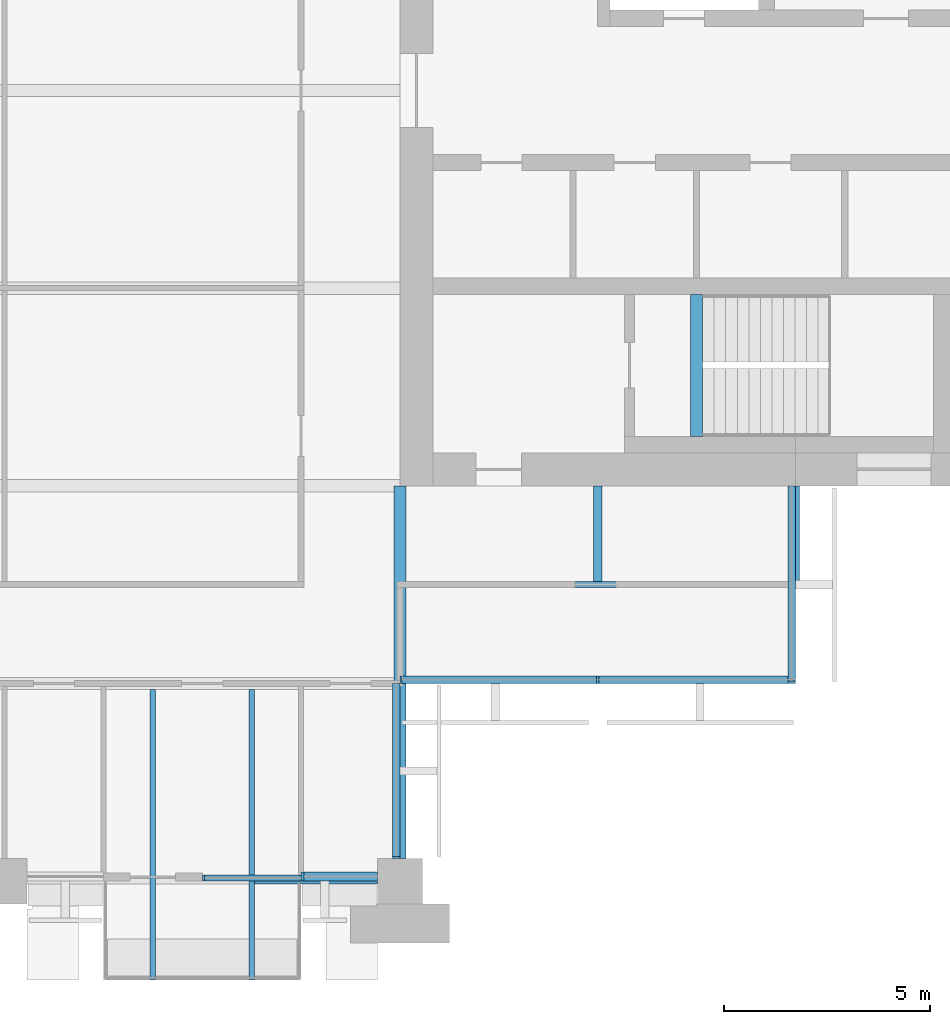
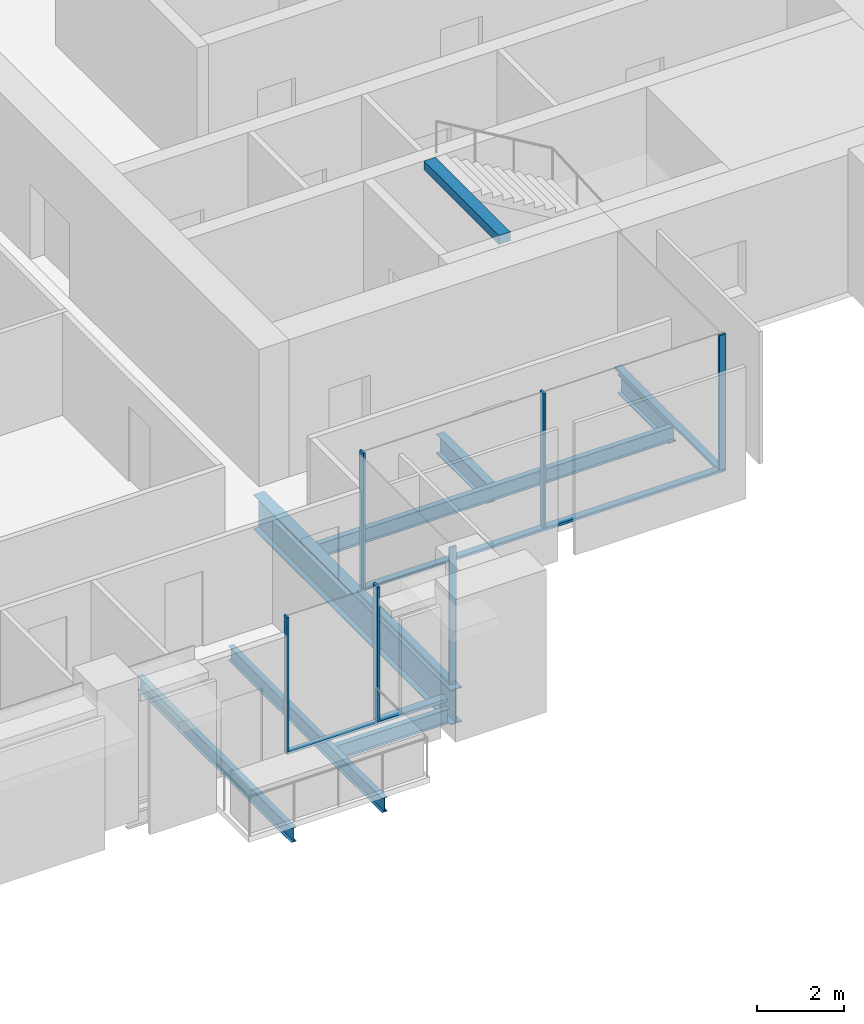
# One storey, part 4 of 14: 11 members, 8 beams, 5 elements without a shape of their own.
"""IFC4 building model written with IfcOpenShell, lengths in metres."""

from ifc_helpers import new_model, si_unit, direction, frame, origin, origin_2d, place, context, subcontext, project, spatial, rectangle, i_section, extrude, material, material_profile, profile_set, type_object, element, aggregate, save


model = new_model("IFC4")

# Units and contexts
model_context = context("Model", 3, precision=1e-05, world=origin(), true_north=direction((0.0, 1.0)))
body_context = subcontext(model_context, "Body", "Model", "MODEL_VIEW")
ifc_project = project(units=[si_unit("LENGTHUNIT", "METRE"), si_unit("AREAUNIT", "SQUARE_METRE"), si_unit("VOLUMEUNIT", "CUBIC_METRE"), si_unit("PLANEANGLEUNIT", "RADIAN"), si_unit("MASSUNIT", "GRAM", prefix="KILO")], contexts=[model_context])

# Site, building, storey
site_placement = place(None, origin())
site = spatial("IfcSite", under=ifc_project, at=site_placement, CompositionType="ELEMENT")
building_placement = place(site_placement, origin())
building = spatial("IfcBuilding", under=site, at=building_placement, Name="Baori Bourse Tower", CompositionType="ELEMENT")
storey_placement = place(building_placement, frame((0.0, 0.0, 221.199951171875)))
storey = spatial("IfcBuildingStorey", under=building, at=storey_placement, Name="L48", CompositionType="ELEMENT", Elevation=221.199951171875)

# Beams
ifc_material_1 = material(Name="Steel A992 Gr 50", Category="steel")
ifc_material_profile_1 = material_profile(ifc_material_1, i_section(OverallWidth=0.140380859375, OverallDepth=0.40380859375, WebThickness=0.007080078125, FlangeThickness=0.01123046875, at=origin_2d()), Name="W16x31")
ifc_profile_set_1 = profile_set([ifc_material_profile_1], Name="Steel A992 Gr 50")
beam_type_1 = type_object("IfcBeamType", Name="Balcony beam W16x31", PredefinedType="BEAM", material=ifc_profile_set_1)
for number, where, z_axis, x_axis, name in (
    (1, (32.39990234375, -2.39990234375, -0.36181640625), (0.0, 1.0, 0.0), (-1.0, 0.0, 0.0), "Balcony beam L48"),
    (2, (34.800048828125, -2.39990234375, -0.36181640625), (0.0, 1.0, 0.0), (-1.0, 0.0, 0.0), "Balcony beam L48"),
):
    element("IfcBeam", number, at=place(storey_placement, frame(where, z_axis=z_axis, x_axis=x_axis)), inside=storey, type_object=beam_type_1, Name=name, PredefinedType="BEAM", context=body_context, shape_type="SweptSolid", body=[
        extrude(i_section(OverallWidth=0.140380859375, OverallDepth=0.40380859375, WebThickness=0.007080078125, FlangeThickness=0.01123046875, at=origin_2d()), origin(), (0.0, 0.0, 1.0), 7.050048828125),
    ])

# Curtain wall, member
ifc_material_2 = material(Name="Pale anodised aluminium", Category="aluminium")
curtain_wall_type_1 = type_object("IfcCurtainWallType", Name="CW2 Curtain wall", PredefinedType="NOTDEFINED", material=ifc_material_2)
curtain_wall_1_placement = place(storey_placement, origin())
curtain_wall_1 = element("IfcCurtainWall", 3, at=curtain_wall_1_placement, inside=storey, type_object=curtain_wall_type_1, Name="Curtain wall CW2 L48 16", PredefinedType="NOTDEFINED")
ifc_material_3 = material(Name="Pale anodised aluminium", Category="aluminium")
ifc_material_profile_2 = material_profile(ifc_material_3, rectangle(XDim=0.179931640625, YDim=0.054931640625, at=origin_2d()), Name="Mullion 55x180")
ifc_profile_set_2 = profile_set([ifc_material_profile_2], Name="Pale anodised aluminium")
member_type_1 = type_object("IfcMemberType", Name="CW2 Curtain wall mullion", PredefinedType="MULLION", material=ifc_profile_set_2)
member_1_placement = place(storey_placement, frame((38.31005859375, 0.577392578125, 0.070068359375), z_axis=(0.0, 0.0, 1.0), x_axis=(-1.0, 0.0, 0.0)))
member_1 = element("IfcMember", 4, at=member_1_placement, type_object=member_type_1, Name="Curtain wall CW2 mullion", PredefinedType="MULLION", context=body_context, shape_type="SweptSolid", body=[
    extrude(rectangle(XDim=0.179931640625, YDim=0.054931640625, at=origin_2d()), origin(), (0.0, 0.0, 1.0), 3.77001953125),
])

# Curtain wall, members
curtain_wall_2_placement = place(storey_placement, origin())
curtain_wall_2 = element("IfcCurtainWall", 5, at=curtain_wall_2_placement, inside=storey, type_object=curtain_wall_type_1, Name="Curtain wall CW2 L48 17", PredefinedType="NOTDEFINED")
member_2_placement = place(storey_placement, frame((38.427490234375, 4.889892578125, 0.070068359375), z_axis=(0.0, 0.0, 1.0), x_axis=(0.0, 1.0, 0.0)))
member_2 = element("IfcMember", 6, at=member_2_placement, type_object=member_type_1, Name="Curtain wall CW2 mullion", PredefinedType="MULLION", context=body_context, shape_type="SweptSolid", body=[
    extrude(rectangle(XDim=0.179931640625, YDim=0.054931640625, at=origin_2d()), origin(), (0.0, 0.0, 1.0), 3.77001953125),
])
member_3_placement = place(storey_placement, frame((43.199951171875, 4.889892578125, 0.070068359375), z_axis=(0.0, 0.0, 1.0), x_axis=(0.0, 1.0, 0.0)))
member_3 = element("IfcMember", 7, at=member_3_placement, type_object=member_type_1, Name="Curtain wall CW2 mullion", PredefinedType="MULLION", context=body_context, shape_type="SweptSolid", body=[
    extrude(rectangle(XDim=0.179931640625, YDim=0.054931640625, at=origin_2d()), origin(), (0.0, 0.0, 1.0), 3.77001953125),
])

# Curtain wall, member
curtain_wall_3_placement = place(storey_placement, origin())
curtain_wall_3 = element("IfcCurtainWall", 8, at=curtain_wall_3_placement, inside=storey, type_object=curtain_wall_type_1, Name="Curtain wall CW2 L48 18", PredefinedType="NOTDEFINED")
member_4_placement = place(storey_placement, frame((47.909912109375, 4.827392578125, 0.070068359375), z_axis=(0.0, 0.0, 1.0), x_axis=(-1.0, 0.0, 0.0)))
member_4 = element("IfcMember", 9, at=member_4_placement, type_object=member_type_1, Name="Curtain wall CW2 mullion", PredefinedType="MULLION", context=body_context, shape_type="SweptSolid", body=[
    extrude(rectangle(XDim=0.179931640625, YDim=0.054931640625, at=origin_2d()), origin(), (0.0, 0.0, 1.0), 3.77001953125),
])

# Member
ifc_material_4 = material(Name="Pale anodised aluminium", Category="aluminium")
ifc_material_profile_3 = material_profile(ifc_material_4, rectangle(XDim=0.179931640625, YDim=0.070068359375, at=origin_2d()), Name="Transom 70x180")
ifc_profile_set_3 = profile_set([ifc_material_profile_3], Name="Pale anodised aluminium")
member_type_2 = type_object("IfcMemberType", Name="CW2 Curtain wall transom", PredefinedType="USERDEFINED", material=ifc_profile_set_3)
member_5_placement = place(storey_placement, frame((38.31005859375, 0.550048828125, 0.03515625), z_axis=(0.0, 1.0, 0.0), x_axis=(-1.0, 0.0, 0.0)))
member_5 = element("IfcMember", 10, at=member_5_placement, type_object=member_type_2, Name="Curtain wall CW2 sill rail", ObjectType="TRANSOM", PredefinedType="USERDEFINED", context=body_context, shape_type="SweptSolid", body=[
    extrude(rectangle(XDim=0.179931640625, YDim=0.070068359375, at=origin_2d()), origin(), (0.0, 0.0, 1.0), 4.25),
])

aggregate(curtain_wall_1, [member_5, member_1])

member_6_placement = place(storey_placement, frame((38.39990234375, 4.889892578125, 0.03515625), z_axis=(1.0, 0.0, 0.0), x_axis=(0.0, 1.0, 0.0)))
member_6 = element("IfcMember", 11, at=member_6_placement, type_object=member_type_2, Name="Curtain wall CW2 sill rail", ObjectType="TRANSOM", PredefinedType="USERDEFINED", context=body_context, shape_type="SweptSolid", body=[
    extrude(rectangle(XDim=0.179931640625, YDim=0.070068359375, at=origin_2d()), origin(), (0.0, 0.0, 1.0), 9.60009765625),
])

aggregate(curtain_wall_2, [member_6, member_2, member_3])

member_7_placement = place(storey_placement, frame((47.909912109375, 4.800048828125, 0.03515625), z_axis=(0.0, 1.0, 0.0), x_axis=(-1.0, 0.0, 0.0)))
member_7 = element("IfcMember", 12, at=member_7_placement, type_object=member_type_2, Name="Curtain wall CW2 sill rail", ObjectType="TRANSOM", PredefinedType="USERDEFINED", context=body_context, shape_type="SweptSolid", body=[
    extrude(rectangle(XDim=0.179931640625, YDim=0.070068359375, at=origin_2d()), origin(), (0.0, 0.0, 1.0), 4.800048828125),
])

aggregate(curtain_wall_3, [member_7, member_4])

# Curtain wall, members
ifc_material_5 = material(Name="Pale anodised aluminium", Category="aluminium")
curtain_wall_type_2 = type_object("IfcCurtainWallType", Name="CW5 Curtain wall", PredefinedType="NOTDEFINED", material=ifc_material_5)
curtain_wall_4_placement = place(storey_placement, origin())
curtain_wall_4 = element("IfcCurtainWall", 13, at=curtain_wall_4_placement, inside=storey, type_object=curtain_wall_type_2, Name="Curtain wall CW5 L48 15", PredefinedType="NOTDEFINED")
ifc_material_6 = material(Name="Pale anodised aluminium", Category="aluminium")
ifc_material_profile_4 = material_profile(ifc_material_6, rectangle(XDim=0.219970703125, YDim=0.06494140625, at=origin_2d()), Name="Mullion 65x220")
ifc_profile_set_4 = profile_set([ifc_material_profile_4], Name="Pale anodised aluminium")
member_type_3 = type_object("IfcMemberType", Name="CW5 Curtain wall mullion", PredefinedType="MULLION", material=ifc_profile_set_4)
member_8_placement = place(storey_placement, frame((36.032470703125, 0.110107421875, 0.0849609375), z_axis=(0.0, 0.0, 1.0), x_axis=(0.0, 1.0, 0.0)))
member_8 = element("IfcMember", 14, at=member_8_placement, type_object=member_type_3, Name="Curtain wall CW5 mullion", PredefinedType="MULLION", context=body_context, shape_type="SweptSolid", body=[
    extrude(rectangle(XDim=0.219970703125, YDim=0.06494140625, at=origin_2d()), origin(), (0.0, 0.0, 1.0), 3.755126953125),
])
ifc_material_7 = material(Name="Pale anodised aluminium", Category="aluminium")
ifc_material_profile_5 = material_profile(ifc_material_7, rectangle(XDim=0.219970703125, YDim=0.0849609375, at=origin_2d()), Name="Transom 85x220")
ifc_profile_set_5 = profile_set([ifc_material_profile_5], Name="Pale anodised aluminium")
member_type_4 = type_object("IfcMemberType", Name="CW5 Curtain wall transom", PredefinedType="USERDEFINED", material=ifc_profile_set_5)
member_9_placement = place(storey_placement, frame((36.0, 0.110107421875, 0.04248046875), z_axis=(1.0, 0.0, 0.0), x_axis=(0.0, 1.0, 0.0)))
member_9 = element("IfcMember", 15, at=member_9_placement, type_object=member_type_4, Name="Curtain wall CW5 sill rail", ObjectType="TRANSOM", PredefinedType="USERDEFINED", context=body_context, shape_type="SweptSolid", body=[
    extrude(rectangle(XDim=0.219970703125, YDim=0.0849609375, at=origin_2d()), origin(), (0.0, 0.0, 1.0), 1.85009765625),
])
aggregate(curtain_wall_4, [member_9, member_8])

ifc_material_8 = material(Name="Pale anodised aluminium", Category="aluminium")
curtain_wall_type_3 = type_object("IfcCurtainWallType", Name="CW6 Curtain wall", PredefinedType="NOTDEFINED", material=ifc_material_8)
curtain_wall_5_placement = place(storey_placement, origin())
curtain_wall_5 = element("IfcCurtainWall", 16, at=curtain_wall_5_placement, inside=storey, type_object=curtain_wall_type_3, Name="Curtain wall CW6 L48 14", PredefinedType="NOTDEFINED")
ifc_material_9 = material(Name="Pale anodised aluminium", Category="aluminium")
ifc_material_profile_6 = material_profile(ifc_material_9, rectangle(XDim=0.14990234375, YDim=0.050048828125, at=origin_2d()), Name="Mullion 50x150")
ifc_profile_set_6 = profile_set([ifc_material_profile_6], Name="Pale anodised aluminium")
member_type_5 = type_object("IfcMemberType", Name="CW6 Curtain wall mullion", PredefinedType="MULLION", material=ifc_profile_set_6)
member_10_placement = place(storey_placement, frame((33.625, 0.074951171875, 0.06494140625), z_axis=(0.0, 0.0, 1.0), x_axis=(0.0, 1.0, 0.0)))
member_10 = element("IfcMember", 17, at=member_10_placement, type_object=member_type_5, Name="Curtain wall CW6 mullion", PredefinedType="MULLION", context=body_context, shape_type="SweptSolid", body=[
    extrude(rectangle(XDim=0.14990234375, YDim=0.050048828125, at=origin_2d()), origin(), (0.0, 0.0, 1.0), 3.775146484375),
])
ifc_material_10 = material(Name="Pale anodised aluminium", Category="aluminium")
ifc_material_profile_7 = material_profile(ifc_material_10, rectangle(XDim=0.14990234375, YDim=0.06494140625, at=origin_2d()), Name="Transom 65x150")
ifc_profile_set_7 = profile_set([ifc_material_profile_7], Name="Pale anodised aluminium")
member_type_6 = type_object("IfcMemberType", Name="CW6 Curtain wall transom", PredefinedType="USERDEFINED", material=ifc_profile_set_7)
member_11_placement = place(storey_placement, frame((33.60009765625, 0.074951171875, 0.032470703125), z_axis=(1.0, 0.0, 0.0), x_axis=(0.0, 1.0, 0.0)))
member_11 = element("IfcMember", 18, at=member_11_placement, type_object=member_type_6, Name="Curtain wall CW6 sill rail", ObjectType="TRANSOM", PredefinedType="USERDEFINED", context=body_context, shape_type="SweptSolid", body=[
    extrude(rectangle(XDim=0.14990234375, YDim=0.06494140625, at=origin_2d()), origin(), (0.0, 0.0, 1.0), 2.39990234375),
])
aggregate(curtain_wall_5, [member_11, member_10])

# Beams
ifc_material_11 = material(Name="Steel A992 Gr 50", Category="steel")
ifc_material_profile_8 = material_profile(ifc_material_11, i_section(OverallWidth=0.21240234375, OverallDepth=0.54345703125, WebThickness=0.01318359375, FlangeThickness=0.021240234375, at=origin_2d()), Name="W21x83")
ifc_profile_set_8 = profile_set([ifc_material_profile_8], Name="Steel A992 Gr 50")
beam_type_2 = type_object("IfcBeamType", Name="Core bracket W21x83", PredefinedType="BEAM", material=ifc_profile_set_8)
for number, where, z_axis, x_axis, name in (
    (19, (43.199951171875, 7.270263671875, -0.431640625), (0.0, 1.0, 0.0), (-1.0, 0.0, 0.0), "Core bracket L48"),
    (20, (48.0, 7.270263671875, -0.431640625), (0.0, 1.0, 0.0), (-1.0, 0.0, 0.0), "Core bracket L48"),
):
    element("IfcBeam", number, at=place(storey_placement, frame(where, z_axis=z_axis, x_axis=x_axis)), inside=storey, type_object=beam_type_2, Name=name, PredefinedType="BEAM", context=body_context, shape_type="SweptSolid", body=[
        extrude(i_section(OverallWidth=0.21240234375, OverallDepth=0.54345703125, WebThickness=0.01318359375, FlangeThickness=0.021240234375, at=origin_2d()), origin(), (0.0, 0.0, 1.0), 2.329833984375),
    ])
ifc_material_12 = material(Name="Steel A992 Gr 50", Category="steel")
ifc_material_profile_9 = material_profile(ifc_material_12, i_section(OverallWidth=0.140380859375, OverallDepth=0.40380859375, WebThickness=0.007080078125, FlangeThickness=0.01123046875, at=origin_2d()), Name="W16x31")
ifc_profile_set_9 = profile_set([ifc_material_profile_9], Name="Steel A992 Gr 50")
beam_type_3 = type_object("IfcBeamType", Name="Edge beam W16x31", PredefinedType="BEAM", material=ifc_profile_set_9)
beam_1_placement = place(storey_placement, frame((34.8701171875, 0.0, -0.36181640625), z_axis=(1.0, 0.0, 0.0), x_axis=(0.0, 1.0, 0.0)))
element("IfcBeam", 21, at=beam_1_placement, inside=storey, type_object=beam_type_3, Name="Edge beam L48", PredefinedType="BEAM", context=body_context, shape_type="SweptSolid", body=[
    extrude(i_section(OverallWidth=0.140380859375, OverallDepth=0.40380859375, WebThickness=0.007080078125, FlangeThickness=0.01123046875, at=origin_2d()), origin(), (0.0, 0.0, 1.0), 2.97998046875),
])
ifc_material_13 = material(Name="Steel A992 Gr 50", Category="steel")
ifc_material_profile_10 = material_profile(ifc_material_13, i_section(OverallWidth=0.2998046875, OverallDepth=0.97021484375, WebThickness=0.01611328125, FlangeThickness=0.02099609375, at=origin_2d()), Name="W40x149")
ifc_profile_set_10 = profile_set([ifc_material_profile_10], Name="Steel A992 Gr 50")
beam_type_4 = type_object("IfcBeamType", Name="Girder W40x149", PredefinedType="BEAM", material=ifc_profile_set_10)
beam_2_placement = place(storey_placement, frame((38.39990234375, 0.550048828125, -0.64501953125), z_axis=(0.0, 1.0, 0.0), x_axis=(-1.0, 0.0, 0.0)))
element("IfcBeam", 22, at=beam_2_placement, inside=storey, type_object=beam_type_4, Name="Girder L48", PredefinedType="BEAM", context=body_context, shape_type="SweptSolid", body=[
    extrude(i_section(OverallWidth=0.2998046875, OverallDepth=0.97021484375, WebThickness=0.01611328125, FlangeThickness=0.02099609375, at=origin_2d()), origin(), (0.0, 0.0, 1.0), 9.050048828125),
])
ifc_material_14 = material(Name="Concrete f'c 50 MPa", Category="concrete")
ifc_material_profile_11 = material_profile(ifc_material_14, rectangle(XDim=0.300048828125, YDim=0.25, at=origin_2d()), Name="RC 300x250")
ifc_profile_set_11 = profile_set([ifc_material_profile_11], Name="Concrete f'c 50 MPa")
beam_type_5 = type_object("IfcBeamType", Name="Stair nib beam RC 300x250", PredefinedType="BEAM", material=ifc_profile_set_11)
beam_3_placement = place(storey_placement, frame((45.60009765625, 10.800048828125, 3.715087890625), z_axis=(0.0, 1.0, 0.0), x_axis=(-1.0, 0.0, 0.0)))
element("IfcBeam", 23, at=beam_3_placement, inside=storey, type_object=beam_type_5, Name="Stair EA nib beam L49", PredefinedType="BEAM", context=body_context, shape_type="SweptSolid", body=[
    extrude(rectangle(XDim=0.300048828125, YDim=0.25, at=origin_2d()), origin(), (0.0, 0.0, 1.0), 3.449951171875),
])
ifc_material_15 = material(Name="Steel A992 Gr 50", Category="steel")
ifc_material_profile_12 = material_profile(ifc_material_15, i_section(OverallWidth=0.140380859375, OverallDepth=0.40380859375, WebThickness=0.007080078125, FlangeThickness=0.01123046875, at=origin_2d()), Name="W16x31")
ifc_profile_set_12 = profile_set([ifc_material_profile_12], Name="Steel A992 Gr 50")
beam_type_6 = type_object("IfcBeamType", Name="Trimmer beam W16x31", PredefinedType="BEAM", material=ifc_profile_set_12)
beam_4_placement = place(storey_placement, frame((38.5498046875, 7.199951171875, -0.36181640625), z_axis=(1.0, 0.0, 0.0), x_axis=(0.0, 1.0, 0.0)))
element("IfcBeam", 24, at=beam_4_placement, inside=storey, type_object=beam_type_6, Name="Trimmer beam L48", PredefinedType="BEAM", context=body_context, shape_type="SweptSolid", body=[
    extrude(i_section(OverallWidth=0.140380859375, OverallDepth=0.40380859375, WebThickness=0.007080078125, FlangeThickness=0.01123046875, at=origin_2d()), origin(), (0.0, 0.0, 1.0), 9.4501953125),
])

save(model, "model.ifc")
